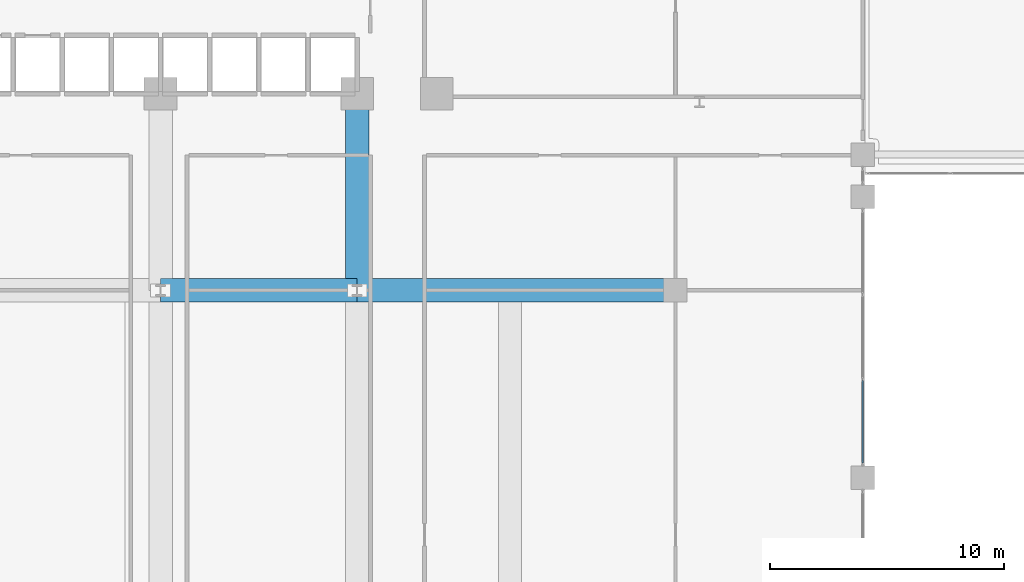
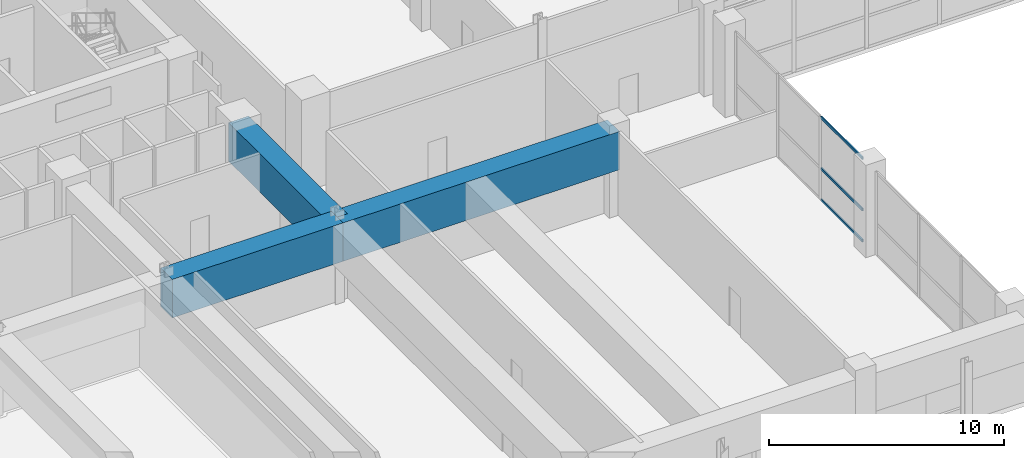
# One storey, part 13 of 44: 3 beams, 3 members, 1 element without a shape of its own.
"""IFC4 building model written with IfcOpenShell, lengths in metres."""

from ifc_helpers import new_model, si_unit, derived_unit, direction, frame, origin, origin_2d, place, context, subcontext, project, spatial, rectangle, hollow_rectangle, extrude, source, transform, mapped, material, layer, layer_set, material_profile, profile_set, type_object, element, aggregate, save


model = new_model("IFC4")

# Units and contexts
model_context = context("Model", 3, precision=1e-05, world=origin(), true_north=direction((0.0, 1.0)))
body_context = subcontext(model_context, "Body", "Model", "MODEL_VIEW")
ifc_project = project(units=[si_unit("LENGTHUNIT", "METRE"), si_unit("AREAUNIT", "SQUARE_METRE"), si_unit("VOLUMEUNIT", "CUBIC_METRE"), si_unit("PLANEANGLEUNIT", "RADIAN"), si_unit("MASSUNIT", "GRAM", prefix="KILO"), derived_unit("THERMALTRANSMITTANCEUNIT", [(si_unit("POWERUNIT", "WATT"), 1), (si_unit("LENGTHUNIT", "METRE"), -2), (si_unit("THERMODYNAMICTEMPERATUREUNIT", "KELVIN"), -1)])], contexts=[model_context])

# Site, building, storey
site_placement = place(None, origin())
site = spatial("IfcSite", under=ifc_project, at=site_placement, CompositionType="ELEMENT")
building_placement = place(site_placement, origin())
building = spatial("IfcBuilding", under=site, at=building_placement, Name="Korsvarv Bourse and Concert Hall", CompositionType="ELEMENT")
storey_placement = place(building_placement, frame((0.0, 0.0, 9.60009765625)))
storey = spatial("IfcBuildingStorey", under=building, at=storey_placement, Name="L02", CompositionType="ELEMENT", Elevation=9.60009765625)

# Beams
ifc_material_1 = material(Name="Concrete C60/75", Category="concrete")
ifc_material_profile_1 = material_profile(ifc_material_1, rectangle(XDim=1.0, YDim=2.0, at=origin_2d()), Name="RC-BM 1000x2000")
ifc_profile_set_1 = profile_set([ifc_material_profile_1], Name="Concrete C60/75")
beam_type = type_object("IfcBeamType", Name="BM-TR1", PredefinedType="BEAM", material=ifc_profile_set_1)
shared_shape_1 = source(origin(), body_context, "Body", "SweptSolid", [
    extrude(rectangle(XDim=1.0, YDim=2.0, at=origin_2d()), origin(), (0.0, 0.0, 1.0), 13.60009765625),
])
beam_placement = place(storey_placement, frame((44.39990234375, 24.0, 3.349853515625), z_axis=(1.0, 0.0, 0.0), x_axis=(0.0, 1.0, 0.0)))
element("IfcBeam", 1, at=beam_placement, inside=storey, type_object=beam_type, Name="L03 Podium Transfer Girder BM-L02-PTR4", PredefinedType="BEAM", context=body_context, shape_type="MappedRepresentation", body=[
    mapped(shared_shape_1, transform((0.0, 0.0, 0.0), scale=1.0)),
])
shared_shape_2 = source(origin(), body_context, "Body", "SweptSolid", [
    extrude(rectangle(XDim=1.0, YDim=2.0, at=origin_2d()), origin(), (0.0, 0.0, 1.0), 8.39990234375),
])
for number, where, z_axis, x_axis, name in (
    (2, (36.0, 24.0, 3.349853515625), (1.0, 0.0, 0.0), (0.0, 1.0, 0.0), "L03 Podium Transfer Girder BM-L02-PTR3"),
    (3, (44.39990234375, 24.0, 3.349853515625), (0.0, 1.0, 0.0), (-1.0, 0.0, 0.0), "L03 Podium Transfer Girder BM-L02-PTR10"),
):
    element("IfcBeam", number, at=place(storey_placement, frame(where, z_axis=z_axis, x_axis=x_axis)), inside=storey, type_object=beam_type, Name=name, PredefinedType="BEAM", context=body_context, shape_type="MappedRepresentation", body=[
        mapped(shared_shape_2, transform((0.0, 0.0, 0.0), scale=1.0)),
    ])

# Curtain wall, members
ifc_material_2 = material(Name="Anodised aluminium and triple low-E glazing", Category="glass")
ifc_layer = layer(ifc_material_2, 0.239990234375)
ifc_layer_set = layer_set([ifc_layer], Name="Anodised aluminium and triple low-E glazing")
curtain_wall_type = type_object("IfcCurtainWallType", Name="CW-SYS-5", PredefinedType="NOTDEFINED", material=ifc_layer_set)
curtain_wall_placement = place(storey_placement, origin())
curtain_wall = element("IfcCurtainWall", 4, at=curtain_wall_placement, inside=storey, type_object=curtain_wall_type, Name="L02 CW5 curtain wall CW-L02-E2-1", PredefinedType="NOTDEFINED")
ifc_material_3 = material(Name="Extruded aluminium EN AW-6063 T66", Category="aluminium")
ifc_material_profile_2 = material_profile(ifc_material_3, hollow_rectangle(XDim=0.06494140625, YDim=0.139892578125, WallThickness=0.00390625, at=origin_2d()), Name="ALU-T 65x140")
ifc_profile_set_2 = profile_set([ifc_material_profile_2], Name="Extruded aluminium EN AW-6063 T66")
member_type = type_object("IfcMemberType", Name="CWT-140", PredefinedType="USERDEFINED", material=ifc_profile_set_2)
shared_shape_3 = source(origin(), body_context, "Body", "SweptSolid", [
    extrude(hollow_rectangle(XDim=0.06494140625, YDim=0.139892578125, WallThickness=0.00390625, at=origin_2d()), origin(), (0.0, 0.0, 1.0), 3.5283203125),
])
member_1_placement = place(storey_placement, frame((66.0, 16.6201171875, 0.032470703125), z_axis=(0.0, 1.0, 0.0), x_axis=(-1.0, 0.0, 0.0)))
member_1 = element("IfcMember", 5, at=member_1_placement, type_object=member_type, Name="CW5 transom 1.1", ObjectType="TRANSOM", PredefinedType="USERDEFINED", context=body_context, shape_type="MappedRepresentation", body=[
    mapped(shared_shape_3, transform((0.0, 0.0, 0.0), scale=1.0)),
])
member_2_placement = place(storey_placement, frame((66.0, 16.6201171875, 1.65283203125), z_axis=(0.0, 1.0, 0.0), x_axis=(-1.0, 0.0, 0.0)))
member_2 = element("IfcMember", 6, at=member_2_placement, type_object=member_type, Name="CW5 transom 1.2", ObjectType="TRANSOM", PredefinedType="USERDEFINED", context=body_context, shape_type="MappedRepresentation", body=[
    mapped(shared_shape_3, transform((0.0, 0.0, 0.0), scale=1.0)),
])
member_3_placement = place(storey_placement, frame((66.0, 16.6201171875, 4.3173828125), z_axis=(0.0, 1.0, 0.0), x_axis=(-1.0, 0.0, 0.0)))
member_3 = element("IfcMember", 7, at=member_3_placement, type_object=member_type, Name="CW5 transom 1.3", ObjectType="TRANSOM", PredefinedType="USERDEFINED", context=body_context, shape_type="MappedRepresentation", body=[
    mapped(shared_shape_3, transform((0.0, 0.0, 0.0), scale=1.0)),
])
aggregate(curtain_wall, [member_1, member_2, member_3])

save(model, "model.ifc")
